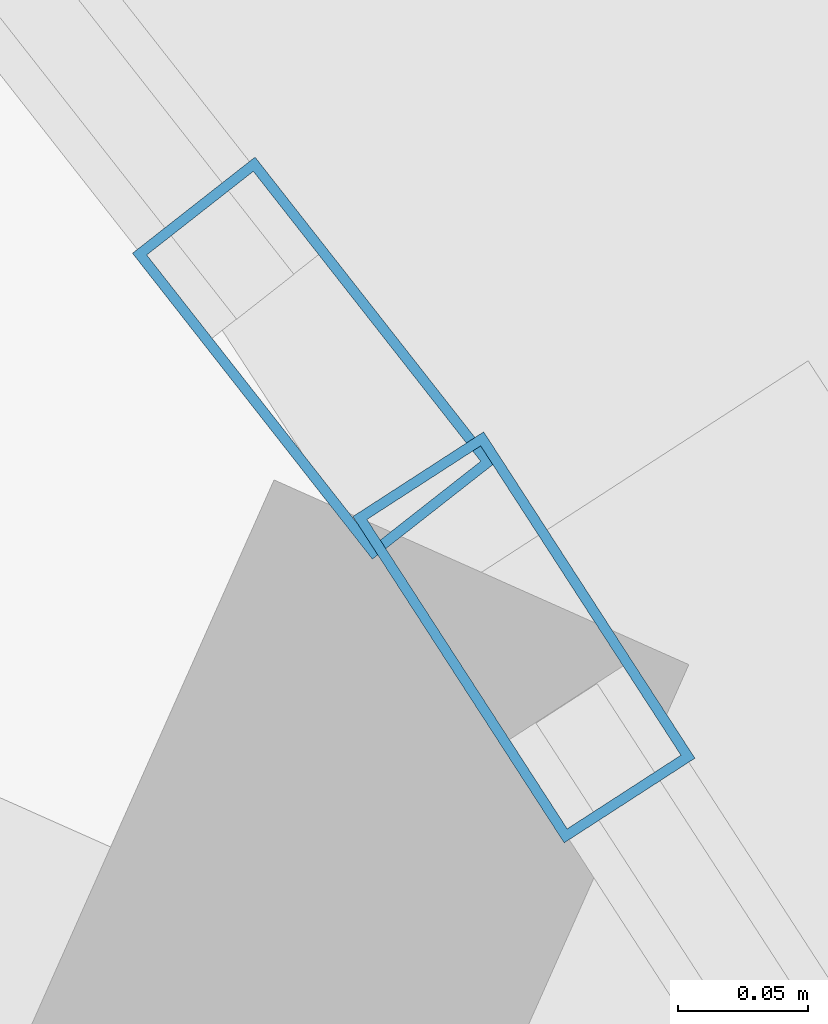
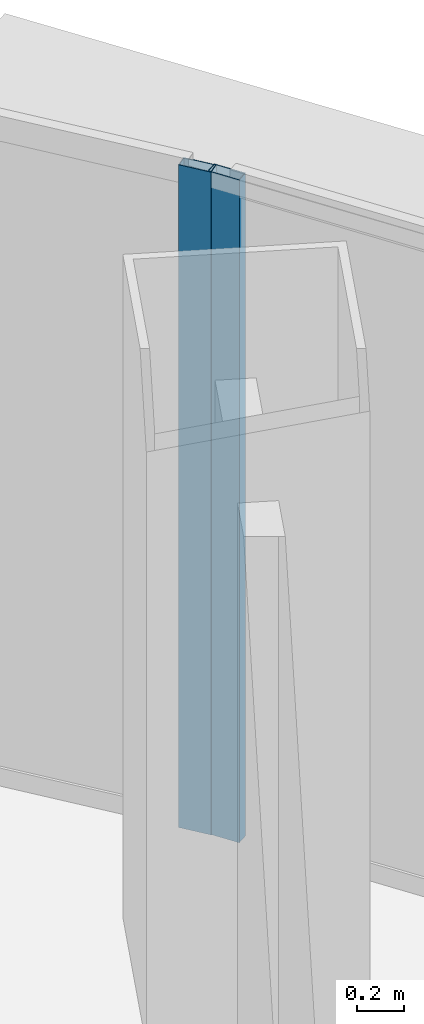
# One storey, part 22 of 39: 2 members, 2 elements without a shape of their own.
"""IFC4 building model written with IfcOpenShell, lengths in metres."""

from ifc_helpers import new_model, si_unit, direction, frame, origin, origin_2d, place, context, subcontext, project, spatial, hollow_rectangle, extrude, source, transform, mapped, material, layer, layer_set, material_profile, profile_set, type_object, element, aggregate, save


model = new_model("IFC4")

# Units and contexts
model_context = context("Model", 3, precision=1e-05, world=origin(), true_north=direction((0.0, 1.0)))
body_context = subcontext(model_context, "Body", "Model", "MODEL_VIEW")
ifc_project = project(units=[si_unit("LENGTHUNIT", "METRE"), si_unit("AREAUNIT", "SQUARE_METRE"), si_unit("VOLUMEUNIT", "CUBIC_METRE"), si_unit("PLANEANGLEUNIT", "RADIAN"), si_unit("MASSUNIT", "GRAM", prefix="KILO"), si_unit("THERMODYNAMICTEMPERATUREUNIT", "KELVIN"), si_unit("POWERUNIT", "WATT")], contexts=[model_context])

# Site, building, storey
site_placement = place(None, origin())
site = spatial("IfcSite", under=ifc_project, at=site_placement, CompositionType="ELEMENT")
building_placement = place(site_placement, origin())
building = spatial("IfcBuilding", under=site, at=building_placement, Name="Yunzhuo Pagoda Commons", CompositionType="ELEMENT")
storey_placement = place(building_placement, frame((0.0, 0.0, 166.6298828125)))
storey = spatial("IfcBuildingStorey", under=building, at=storey_placement, Name="L42", CompositionType="ELEMENT", Elevation=166.6298828125)

# Curtain wall, member
ifc_material = material(Name="Anodized aluminium 6063-T6", Category="aluminium")
ifc_layer = layer(ifc_material, 0.14990234375)
ifc_layer_set = layer_set([ifc_layer], Name="Anodized aluminium 6063-T6")
curtain_wall_type = type_object("IfcCurtainWallType", Name="CW-MID Mid-Zone Ribbon Curtain Wall", PredefinedType="NOTDEFINED", material=ifc_layer_set)
curtain_wall_1_placement = place(storey_placement, origin())
curtain_wall_1 = element("IfcCurtainWall", 1, at=curtain_wall_1_placement, inside=storey, type_object=curtain_wall_type, Name="L42 curtain wall CW-L42-F2B4", PredefinedType="NOTDEFINED")
ifc_material_profile = material_profile(ifc_material, hollow_rectangle(XDim=0.06005859375, YDim=0.14990234375, WallThickness=0.00390625, at=origin_2d()), Name="Anodized aluminium 6063-T6")
ifc_profile_set = profile_set([ifc_material_profile], Name="Anodized aluminium 6063-T6")
member_type = type_object("IfcMemberType", Name="CW-MID-M Mullion RHS 150x60x4", PredefinedType="MULLION", material=ifc_profile_set)
shared_shape = source(origin(), body_context, "Body", "SweptSolid", [
    extrude(hollow_rectangle(XDim=0.06005859375, YDim=0.14990234375, WallThickness=0.00390625, at=origin_2d()), origin(), (0.0, 0.0, 1.0), 3.420166015625),
])
member_1_placement = place(storey_placement, frame((63.849609375, 69.23681640625, 0.0), z_axis=(0.0, 0.0, 1.0), x_axis=(-0.839466065689, -0.543412113002, 0.0)))
member_1 = element("IfcMember", 2, at=member_1_placement, type_object=member_type, Name="CW mullion 2", PredefinedType="MULLION", context=body_context, shape_type="MappedRepresentation", body=[
    mapped(shared_shape, transform((0.0, 0.0, 0.0), scale=1.0)),
])
aggregate(curtain_wall_1, [member_1])

curtain_wall_2_placement = place(storey_placement, origin())
curtain_wall_2 = element("IfcCurtainWall", 3, at=curtain_wall_2_placement, inside=storey, type_object=curtain_wall_type, Name="L42 curtain wall CW-L42-F2B5", PredefinedType="NOTDEFINED")
member_2_placement = place(storey_placement, frame((63.7685546875, 69.344482421875, 0.0), z_axis=(0.0, 0.0, 1.0), x_axis=(-0.786855306064, -0.617137527071, 0.0)))
member_2 = element("IfcMember", 4, at=member_2_placement, type_object=member_type, Name="CW mullion 1", PredefinedType="MULLION", context=body_context, shape_type="MappedRepresentation", body=[
    mapped(shared_shape, transform((0.0, 0.0, 0.0), scale=1.0)),
])
aggregate(curtain_wall_2, [member_2])

save(model, "model.ifc")
